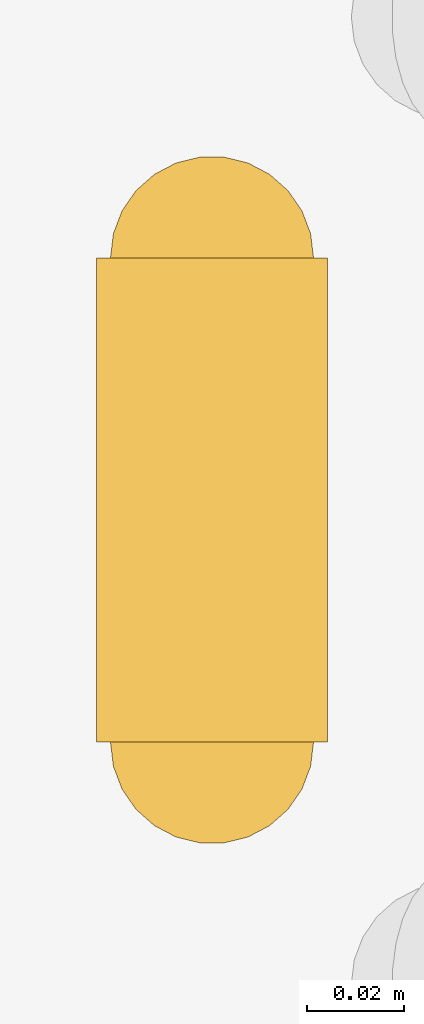
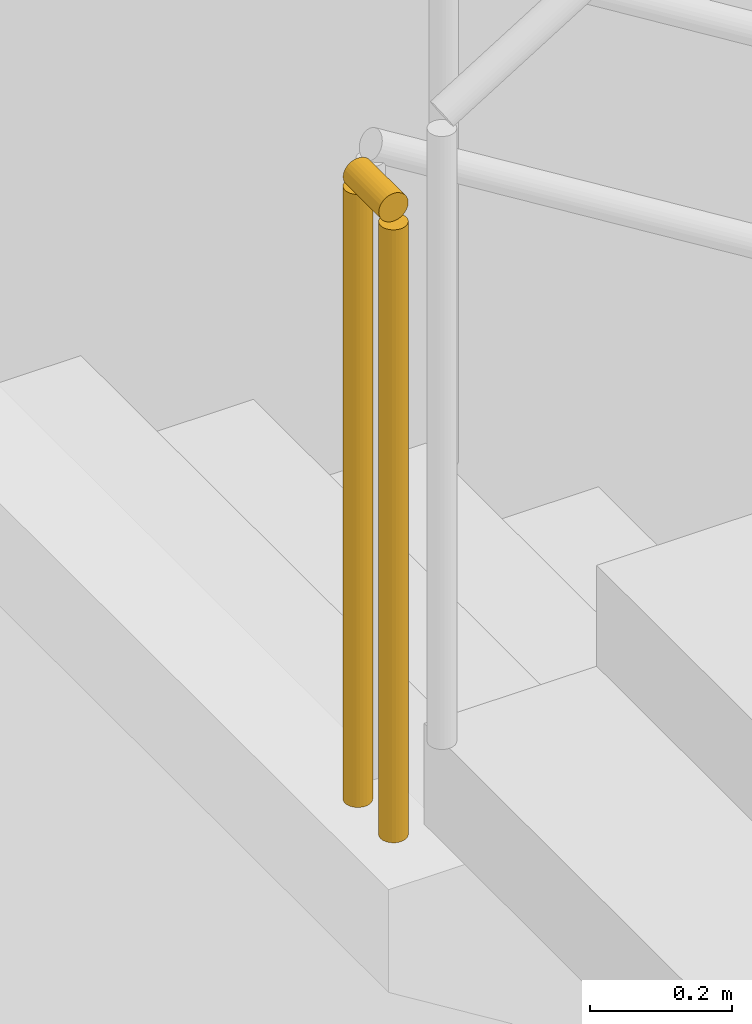
# One storey, part 17 of 21: 1 railing.
"""IFC4 building model written with IfcOpenShell, lengths in metres."""

from ifc_helpers import new_model, si_unit, direction, frame, origin, origin_2d, place, context, subcontext, project, spatial, circle, extrude, material, type_object, element, save


model = new_model("IFC4")

# Units and contexts
model_context = context("Model", 3, precision=1e-05, world=origin(), true_north=direction((0.0, 1.0)))
body_context = subcontext(model_context, "Body", "Model", "MODEL_VIEW")
ifc_project = project(units=[si_unit("LENGTHUNIT", "METRE"), si_unit("AREAUNIT", "SQUARE_METRE"), si_unit("VOLUMEUNIT", "CUBIC_METRE"), si_unit("PLANEANGLEUNIT", "RADIAN"), si_unit("MASSUNIT", "GRAM", prefix="KILO")], contexts=[model_context])

# Site, building, storey
site_placement = place(None, origin())
site = spatial("IfcSite", under=ifc_project, at=site_placement, CompositionType="ELEMENT")
building_placement = place(site_placement, origin())
building = spatial("IfcBuilding", under=site, at=building_placement, Name="Stone Belt Terrace Tower", CompositionType="ELEMENT")
storey_placement = place(building_placement, frame((0.0, 0.0, -9.0)))
storey = spatial("IfcBuildingStorey", under=building, at=storey_placement, Name="B2", CompositionType="ELEMENT", Elevation=-9.0)

# Railing
ifc_material = material(Name="Structural steel C345", Category="steel")
railing_type = type_object("IfcRailingType", Name="Car park guard 1100", PredefinedType="GUARDRAIL", material=ifc_material)
railing_placement = place(storey_placement, frame((27.340087890625, -48.64990234375, 2.25)))
element("IfcRailing", 1, at=railing_placement, inside=storey, type_object=railing_type, Name="B2 CS2 stair guard 2", PredefinedType="GUARDRAIL", context=body_context, shape_type="SweptSolid", body=[
    extrude(circle(Radius=0.02392578125, at=origin_2d()), frame((0.0, 0.0, 1.076171875), z_axis=(0.0, -1.0, 0.0), x_axis=(1.0, 0.0, 0.0)), (0.0, 0.0, 1.0), 0.10009765625),
    extrude(circle(Radius=0.02099609375, at=origin_2d()), origin(), (0.0, 0.0, 1.0), 1.052001953125),
    extrude(circle(Radius=0.02099609375, at=origin_2d()), frame((0.0, -0.10009765625, 0.0)), (0.0, 0.0, 1.0), 1.052001953125),
])

save(model, "model.ifc")
